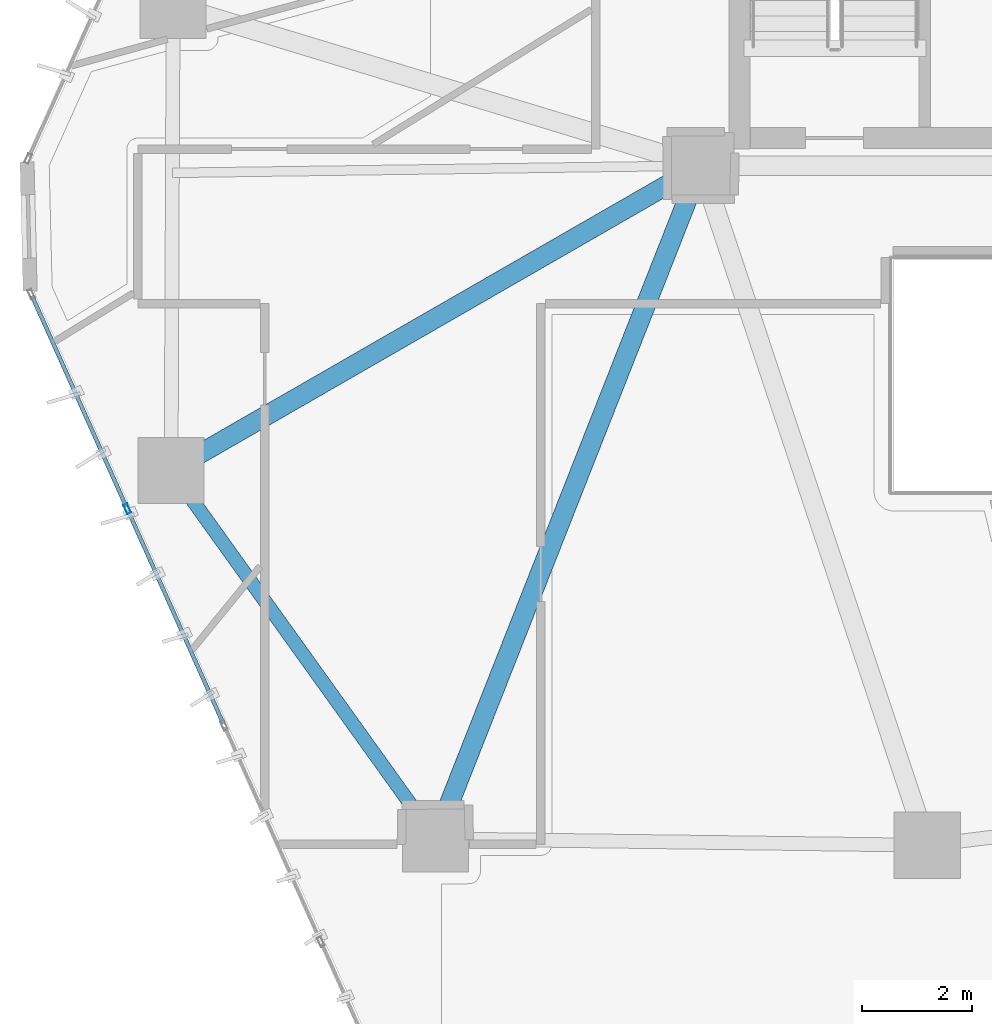
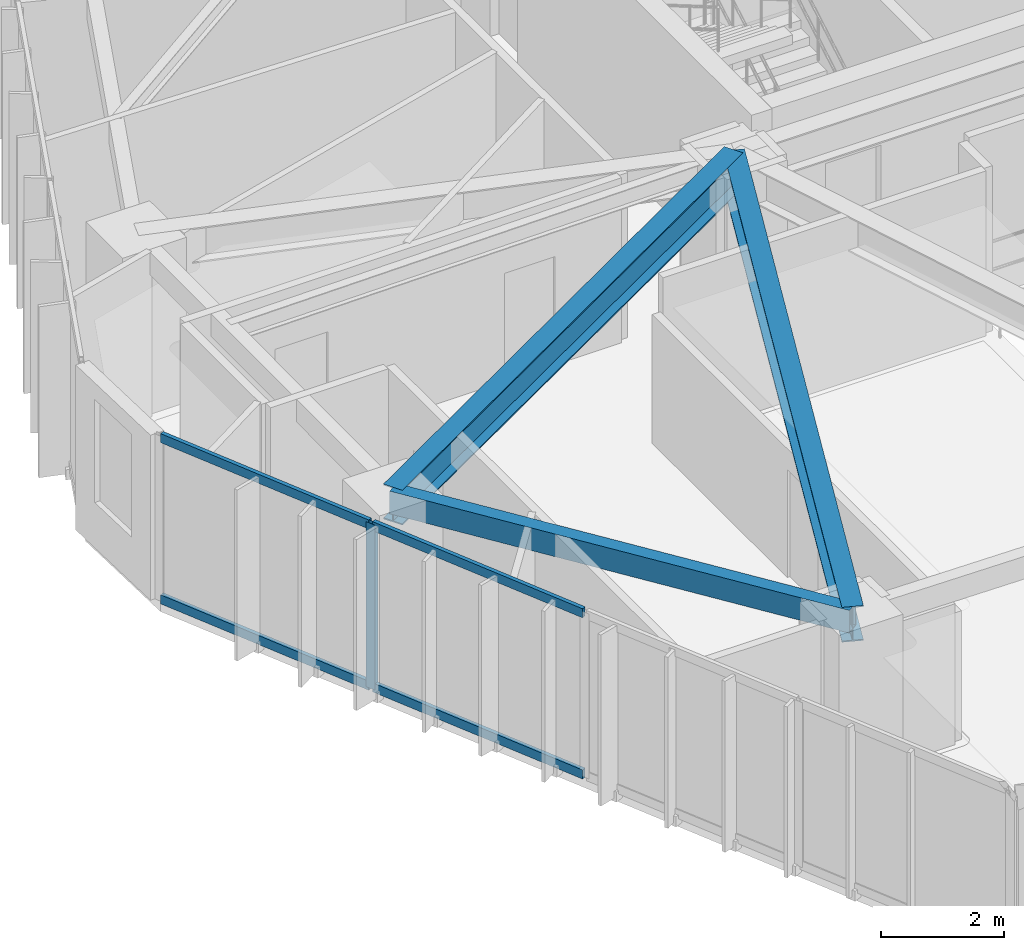
# One storey, part 3 of 22: 5 members, 3 beams, 1 element without a shape of its own.
"""IFC4 building model written with IfcOpenShell, lengths in metres."""

from ifc_helpers import new_model, si_unit, direction, frame, origin, origin_2d, place, context, subcontext, project, spatial, hollow_rectangle, i_section, extrude, source, transform, mapped, material, layer, layer_set, material_profile, profile_set, type_object, type_shapes, element, aggregate, save


model = new_model("IFC4")

# Units and contexts
model_context = context("Model", 3, precision=1e-05, world=origin(), true_north=direction((0.0, 1.0)))
body_context = subcontext(model_context, "Body", "Model", "MODEL_VIEW")
ifc_project = project(units=[si_unit("LENGTHUNIT", "METRE"), si_unit("AREAUNIT", "SQUARE_METRE"), si_unit("VOLUMEUNIT", "CUBIC_METRE"), si_unit("PLANEANGLEUNIT", "RADIAN"), si_unit("MASSUNIT", "GRAM", prefix="KILO")], contexts=[model_context])

# Site, building, storey
site_placement = place(None, origin())
site = spatial("IfcSite", under=ifc_project, at=site_placement, CompositionType="ELEMENT")
building_placement = place(site_placement, origin())
building = spatial("IfcBuilding", under=site, at=building_placement, Name="Talar Marvaseh", CompositionType="ELEMENT")
storey_placement = place(building_placement, frame((0.0, 0.0, 154.199951171875)))
storey = spatial("IfcBuildingStorey", under=building, at=storey_placement, Name="L40", CompositionType="ELEMENT", Elevation=154.199951171875)

# Beams
ifc_material_1 = material(Name="Steel S355", Category="steel")
ifc_material_profile_1 = material_profile(ifc_material_1, hollow_rectangle(XDim=0.25, YDim=0.449951171875, WallThickness=0.01611328125, at=origin_2d()), Name="RHS450x250x16")
ifc_profile_set_1 = profile_set([ifc_material_profile_1], Name="Steel S355")
beam_type_1 = type_object("IfcBeamType", Name="Zone 2 Perimeter Spandrel Beam RHS450x250x16", PredefinedType="SPANDREL", material=ifc_profile_set_1)
beam_1_placement = place(storey_placement, frame((13.89111328125, 13.299072265625, 3.054931640625), z_axis=(-0.582852871994, 0.812577706812, 0.0), x_axis=(-0.812577706812, -0.582852871994, 0.0)))
element("IfcBeam", 1, at=beam_1_placement, inside=storey, type_object=beam_type_1, Name="L40 Zone 2 Perimeter Spandrel Beam RHS450x250x16", PredefinedType="SPANDREL", context=body_context, shape_type="SweptSolid", body=[
    extrude(hollow_rectangle(XDim=0.25, YDim=0.449951171875, WallThickness=0.01611328125, at=origin_2d()), origin(), (0.0, 0.0, 1.0), 8.21826171875),
])
ifc_material_profile_2 = material_profile(ifc_material_1, i_section(OverallWidth=0.35498046875, OverallDepth=0.695068359375, WebThickness=0.015380859375, FlangeThickness=0.02490234375, at=origin_2d()), Name="W690x217")
ifc_profile_set_2 = profile_set([ifc_material_profile_2], Name="Steel S355")
beam_type_2 = type_object("IfcBeamType", Name="Zone 2 Radial Floor Girder W690x217", PredefinedType="BEAM", material=ifc_profile_set_2)
beam_2_placement = place(storey_placement, frame((13.89111328125, 13.299072265625, 2.9326171875), z_axis=(0.366683712786, 0.930345664136, 0.0), x_axis=(-0.930345664136, 0.366683712786, 0.0)))
element("IfcBeam", 2, at=beam_2_placement, inside=storey, type_object=beam_type_2, Name="L40 Zone 2 Radial Floor Girder W690x217", PredefinedType="BEAM", context=body_context, shape_type="SweptSolid", body=[
    extrude(i_section(OverallWidth=0.35498046875, OverallDepth=0.695068359375, WebThickness=0.015380859375, FlangeThickness=0.02490234375, at=origin_2d()), origin(), (0.0, 0.0, 1.0), 13.114501953125),
])
beam_3_placement = place(storey_placement, frame((9.10107421875, 19.97705078125, 2.9326171875), z_axis=(0.866765990926, 0.498715065919, 0.0), x_axis=(-0.498715065919, 0.866765990926, 0.0)))
element("IfcBeam", 3, at=beam_3_placement, inside=storey, type_object=beam_type_2, Name="L40 Zone 2 Radial Floor Girder W690x217", PredefinedType="BEAM", context=body_context, shape_type="SweptSolid", body=[
    extrude(i_section(OverallWidth=0.35498046875, OverallDepth=0.695068359375, WebThickness=0.015380859375, FlangeThickness=0.02490234375, at=origin_2d()), origin(), (0.0, 0.0, 1.0), 11.074462890625),
])

# Curtain wall, members
ifc_material_2 = material(Name="Architectural Aluminium", Category="aluminium")
ifc_layer = layer(ifc_material_2, 0.199951171875)
ifc_layer_set = layer_set([ifc_layer], Name="Architectural Aluminium")
curtain_wall_type = type_object("IfcCurtainWallType", Name="Unitised Acoustic Library Curtain Wall Z2", PredefinedType="NOTDEFINED", material=ifc_layer_set)
curtain_wall_placement = place(storey_placement, origin())
curtain_wall = element("IfcCurtainWall", 4, at=curtain_wall_placement, inside=storey, type_object=curtain_wall_type, Name="L40 Unitised Acoustic Library Curtain Wall Z2", PredefinedType="NOTDEFINED")
ifc_material_profile_3 = material_profile(ifc_material_2, hollow_rectangle(XDim=0.074951171875, YDim=0.179931640625, WallThickness=0.0048828125, at=origin_2d()), Name="RHS180x75x5")
ifc_profile_set_3 = profile_set([ifc_material_profile_3], Name="Architectural Aluminium")
member_type_1 = type_object("IfcMemberType", Name="Unitised Curtain Wall Transom RHS180x75x5", PredefinedType="USERDEFINED", material=ifc_profile_set_3)
shared_shape_1 = source(origin(), body_context, "Body", "SweptSolid", [
    extrude(hollow_rectangle(XDim=0.074951171875, YDim=0.179931640625, WallThickness=0.0048828125, at=origin_2d()), origin(), (0.0, 0.0, 1.0), 4.185302734375),
])
member_1_placement = place(storey_placement, frame((8.290771484375, 19.3154296875, 0.03759765625), z_axis=(-0.408275242442, 0.912858875407, 0.0), x_axis=(-0.912858875407, -0.408275242442, 0.0)))
member_1 = element("IfcMember", 5, at=member_1_placement, type_object=member_type_1, Name="CW-Z2 transom 4.1", ObjectType="TRANSOM", PredefinedType="USERDEFINED", context=body_context, shape_type="MappedRepresentation", body=[
    mapped(shared_shape_1, transform((0.0, 0.0, 0.0), x_axis=(1.0, 0.0, 0.0), y_axis=(0.0, 1.0, 0.0), z_axis=(0.0, 0.0, 1.0), scale=1.0)),
])
member_2_placement = place(storey_placement, frame((8.290771484375, 19.3154296875, 3.242431640625), z_axis=(-0.408275242442, 0.912858875407, 0.0), x_axis=(-0.912858875407, -0.408275242442, 0.0)))
member_2 = element("IfcMember", 6, at=member_2_placement, type_object=member_type_1, Name="CW-Z2 transom 4.2", ObjectType="TRANSOM", PredefinedType="USERDEFINED", context=body_context, shape_type="MappedRepresentation", body=[
    mapped(shared_shape_1, transform((0.0, 0.0, 0.0), x_axis=(1.0, 0.0, 0.0), y_axis=(0.0, 1.0, 0.0), z_axis=(0.0, 0.0, 1.0), scale=1.0)),
])
shared_shape_2 = source(origin(), body_context, "Body", "SweptSolid", [
    extrude(hollow_rectangle(XDim=0.074951171875, YDim=0.179931640625, WallThickness=0.0048828125, at=origin_2d()), origin(), (0.0, 0.0, 1.0), 4.22265625),
])
type_shapes(member_type_1, [shared_shape_1, shared_shape_2])
member_3_placement = place(storey_placement, frame((10.045654296875, 15.39208984375, 0.03759765625), z_axis=(-0.408293797614, 0.912850576398, 0.0), x_axis=(-0.912850576398, -0.408293797614, 0.0)))
member_3 = element("IfcMember", 7, at=member_3_placement, type_object=member_type_1, Name="CW-Z2 transom 3.1", ObjectType="TRANSOM", PredefinedType="USERDEFINED", context=body_context, shape_type="MappedRepresentation", body=[
    mapped(shared_shape_2, transform((0.0, 0.0, 0.0), x_axis=(1.0, 0.0, 0.0), y_axis=(0.0, 1.0, 0.0), z_axis=(0.0, 0.0, 1.0), scale=1.0)),
])
member_4_placement = place(storey_placement, frame((10.045654296875, 15.39208984375, 3.242431640625), z_axis=(-0.408293797614, 0.912850576398, 0.0), x_axis=(-0.912850576398, -0.408293797614, 0.0)))
member_4 = element("IfcMember", 8, at=member_4_placement, type_object=member_type_1, Name="CW-Z2 transom 3.2", ObjectType="TRANSOM", PredefinedType="USERDEFINED", context=body_context, shape_type="MappedRepresentation", body=[
    mapped(shared_shape_2, transform((0.0, 0.0, 0.0), x_axis=(1.0, 0.0, 0.0), y_axis=(0.0, 1.0, 0.0), z_axis=(0.0, 0.0, 1.0), scale=1.0)),
])
ifc_material_profile_4 = material_profile(ifc_material_2, hollow_rectangle(XDim=0.074951171875, YDim=0.179931640625, WallThickness=0.0048828125, at=origin_2d()), Name="RHS180x75x5")
ifc_profile_set_4 = profile_set([ifc_material_profile_4], Name="Architectural Aluminium")
member_type_2 = type_object("IfcMemberType", Name="Unitised Curtain Wall Standard Mullion RHS180x75x5", PredefinedType="MULLION", material=ifc_profile_set_4)
shared_shape_3 = source(origin(), body_context, "Body", "SweptSolid", [
    extrude(hollow_rectangle(XDim=0.074951171875, YDim=0.179931640625, WallThickness=0.0048828125, at=origin_2d()), origin(), (0.0, 0.0, 1.0), 3.280029296875),
])
type_shapes(member_type_2, [shared_shape_3])
member_5_placement = place(storey_placement, frame((8.30615234375, 19.281005859375, 0.0), z_axis=(0.0, 0.0, 1.0), x_axis=(-0.912861099271, -0.408270270087, 0.0)))
member_5 = element("IfcMember", 9, at=member_5_placement, type_object=member_type_2, Name="CW-Z2 mullion 4", PredefinedType="MULLION", context=body_context, shape_type="MappedRepresentation", body=[
    mapped(shared_shape_3, transform((0.0, 0.0, 0.0), x_axis=(1.0, 0.0, 0.0), y_axis=(0.0, 1.0, 0.0), z_axis=(0.0, 0.0, 1.0), scale=1.0)),
])
aggregate(curtain_wall, [member_5, member_3, member_4, member_1, member_2])

save(model, "model.ifc")
